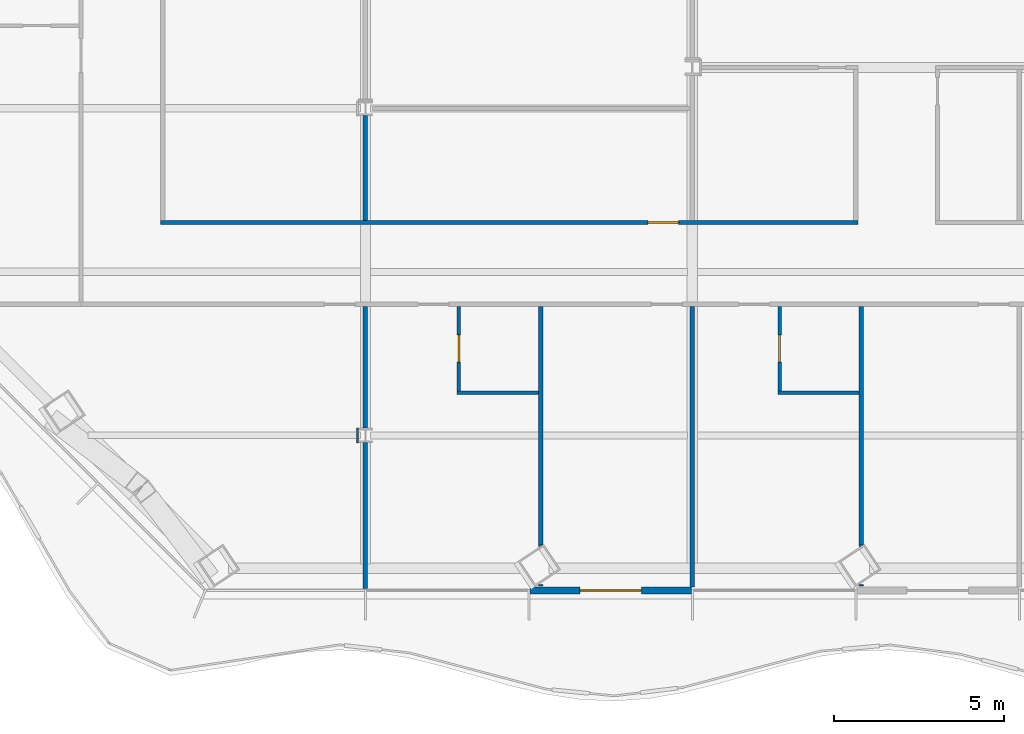
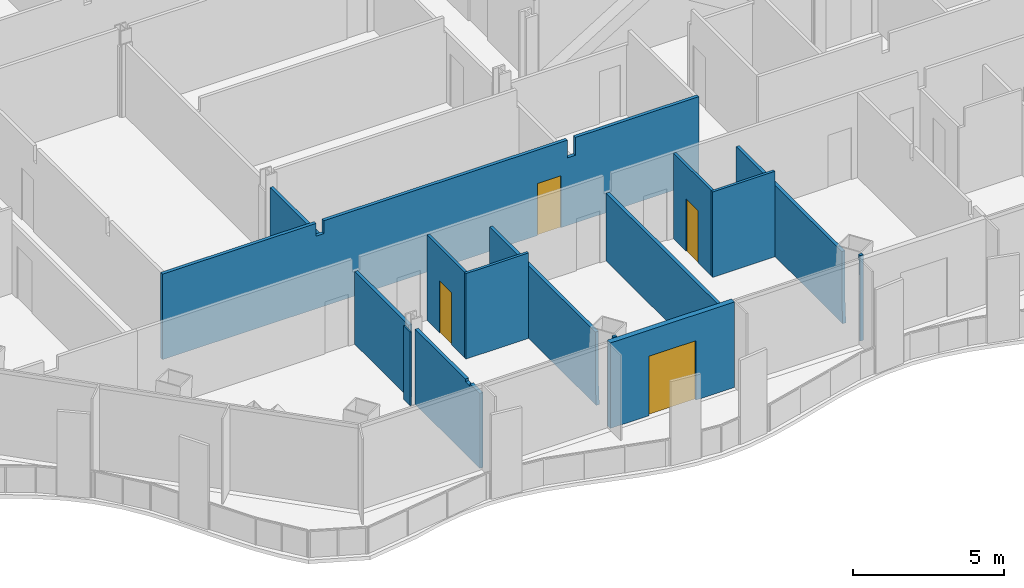
# One storey, part 6 of 20: 15 walls, 4 doors, 4 openings.
"""IFC4 building model written with IfcOpenShell, lengths in metres."""

from ifc_helpers import new_model, si_unit, direction, frame, frame_2d, origin, place, context, subcontext, project, spatial, polyline, rectangle, outline, extrude, material, layer, layer_set, type_object, element, fill, save


model = new_model("IFC4")

# Units and contexts
model_context = context("Model", 3, precision=1e-05, world=origin(), true_north=direction((0.0, 1.0)))
body_context = subcontext(model_context, "Body", "Model", "MODEL_VIEW")
ifc_project = project(units=[si_unit("LENGTHUNIT", "METRE"), si_unit("AREAUNIT", "SQUARE_METRE"), si_unit("VOLUMEUNIT", "CUBIC_METRE"), si_unit("PLANEANGLEUNIT", "RADIAN"), si_unit("MASSUNIT", "GRAM", prefix="KILO")], contexts=[model_context])

# Site, building, storey
site_placement = place(None, origin())
site = spatial("IfcSite", under=ifc_project, at=site_placement, CompositionType="ELEMENT")
building_placement = place(site_placement, origin())
building = spatial("IfcBuilding", under=site, at=building_placement, Name="Cairn Pilgrim Tower", CompositionType="ELEMENT")
storey_placement = place(building_placement, frame((0.0, 0.0, 87.0)))
storey = spatial("IfcBuildingStorey", under=building, at=storey_placement, Name="L20", CompositionType="ELEMENT", Elevation=87.0)

# Wall, opening, door
ifc_material_1 = material(Name="Bronze anodised aluminium insulated sandwich panel with mineral wool fill", Category="aluminium")
ifc_layer_1 = layer(ifc_material_1, 0.199951171875)
ifc_layer_set_1 = layer_set([ifc_layer_1], Name="BRONZE INFILL FRAME WALL 200")
wall_type_1 = type_object("IfcWallType", Name="BRONZE INFILL FRAME WALL 200", PredefinedType="NOTDEFINED", material=ifc_layer_set_1)
wall_1_placement = place(storey_placement, frame((-9.570068359375, -23.75, 0.0), z_axis=(0.0, 0.0, 1.0), x_axis=(1.0, 0.0, 0.0)))
wall_1 = element("IfcWall", 1, at=wall_1_placement, inside=storey, type_object=wall_type_1, Name="Bronze infill frame wall IW-S3", PredefinedType="NOTDEFINED", context=body_context, shape_type="SweptSolid", body=[
    extrude(rectangle(XDim=4.739990234375, YDim=0.199951171875, at=frame_2d((2.3701171875, 0.0))), origin(), (0.0, 0.0, 1.0), 3.449951171875),
])
opening_1_placement = place(wall_1_placement, frame((1.469970703125, 0.0, 0.0)))
opening_1 = element("IfcOpeningElement", 2, at=opening_1_placement, cuts=wall_1, Name="Opening 2003B", PredefinedType="OPENING", context=body_context, shape_type="SweptSolid", body=[
    extrude(rectangle(XDim=1.800048828125, YDim=2.39990234375, at=frame_2d((0.89990234375, 1.199951171875))), frame((0.0, 0.10986328125, 0.0), z_axis=(0.0, -1.0, 0.0), x_axis=(1.0, 0.0, 0.0)), (0.0, 0.0, 1.0), 0.219970703125),
])
ifc_material_2 = material(Name="Bronze anodised aluminium frame with tinted low-E glass", Category="aluminium")
door_type_1 = type_object("IfcDoorType", Name="BALCONY SLIDING DOOR 1800x2400", OperationType="DOUBLE_DOOR_SLIDING", PredefinedType="DOOR", material=ifc_material_2)
door_1_placement = place(opening_1_placement, origin())
door_1 = element("IfcDoor", 3, at=door_1_placement, inside=storey, type_object=door_type_1, Name="Balcony sliding door 2003B", OperationType="SINGLE_SWING_LEFT", OverallHeight=2.39990234375, OverallWidth=1.800048828125, PredefinedType="DOOR", context=body_context, shape_type="SweptSolid", body=[
    extrude(rectangle(XDim=1.800048828125, YDim=2.39990234375, at=frame_2d((0.89990234375, 1.199951171875))), frame((0.0, 0.02490234375, 0.0), z_axis=(0.0, -1.0, 0.0), x_axis=(1.0, 0.0, 0.0)), (0.0, 0.0, 1.0), 0.050048828125),
])
fill(opening_1, door_1)

# Wall
ifc_material_3 = material(Name="Gypsum partition")
ifc_layer_2 = layer(ifc_material_3, 0.10009765625)
ifc_layer_set_2 = layer_set([ifc_layer_2], Name="PARTITION 100 DRYWALL")
wall_type_2 = type_object("IfcWallType", Name="PARTITION 100 DRYWALL", PredefinedType="PARTITIONING", material=ifc_layer_set_2)
wall_2_placement = place(storey_placement, frame((-11.702880859375, -17.949951171875, 0.0), z_axis=(0.0, 0.0, 1.0), x_axis=(1.0, 0.0, 0.0)))
element("IfcWall", 4, at=wall_2_placement, inside=storey, type_object=wall_type_2, Name="PARTITION W014", PredefinedType="PARTITIONING", context=body_context, shape_type="SweptSolid", body=[
    extrude(rectangle(XDim=2.387451171875, YDim=0.10009765625, at=frame_2d((1.19384765625, 0.0))), origin(), (0.0, 0.0, 1.0), 3.449951171875),
])

# Wall, opening, door
wall_3_placement = place(storey_placement, frame((-11.653076171875, -17.89990234375, 0.0), z_axis=(0.0, 0.0, 1.0), x_axis=(0.0, 1.0, 0.0)))
wall_3 = element("IfcWall", 5, at=wall_3_placement, inside=storey, type_object=wall_type_2, Name="PARTITION W015", PredefinedType="PARTITIONING", context=body_context, shape_type="SweptSolid", body=[
    extrude(rectangle(XDim=2.4873046875, YDim=0.10009765625, at=frame_2d((1.24365234375, 0.0))), origin(), (0.0, 0.0, 1.0), 3.449951171875),
])
opening_2_placement = place(wall_3_placement, frame((0.85009765625, 0.0, 0.0)))
opening_2 = element("IfcOpeningElement", 6, at=opening_2_placement, cuts=wall_3, Name="Opening 2002E", PredefinedType="OPENING", context=body_context, shape_type="SweptSolid", body=[
    extrude(rectangle(XDim=0.800048828125, YDim=2.10009765625, at=frame_2d((0.39990234375, 1.050048828125))), frame((0.0, 0.06005859375, 0.0), z_axis=(0.0, -1.0, 0.0), x_axis=(1.0, 0.0, 0.0)), (0.0, 0.0, 1.0), 0.1201171875),
])
ifc_material_4 = material(Name="Timber door leaf", Category="wood")
door_type_2 = type_object("IfcDoorType", Name="DOOR 800x2100", OperationType="NOTDEFINED", PredefinedType="DOOR", material=ifc_material_4)
door_2_placement = place(opening_2_placement, frame((0.800048828125, 0.0, 0.0), z_axis=(0.0, 0.0, 1.0), x_axis=(-1.0, 0.0, 0.0)))
door_2 = element("IfcDoor", 7, at=door_2_placement, inside=storey, type_object=door_type_2, Name="DOOR 2002E", OperationType="SINGLE_SWING_RIGHT", OverallHeight=2.10009765625, OverallWidth=0.800048828125, PredefinedType="DOOR", context=body_context, shape_type="SweptSolid", body=[
    extrude(rectangle(XDim=0.800048828125, YDim=2.10009765625, at=frame_2d((0.39990234375, 1.050048828125))), frame((0.0, 0.02490234375, 0.0), z_axis=(0.0, -1.0, 0.0), x_axis=(1.0, 0.0, 0.0)), (0.0, 0.0, 1.0), 0.050048828125),
])
fill(opening_2, door_2)

# Wall
wall_4_placement = place(storey_placement, frame((-2.2900390625, -17.949951171875, 0.0), z_axis=(0.0, 0.0, 1.0), x_axis=(1.0, 0.0, 0.0)))
element("IfcWall", 8, at=wall_4_placement, inside=storey, type_object=wall_type_2, Name="PARTITION W016", PredefinedType="PARTITIONING", context=body_context, shape_type="SweptSolid", body=[
    extrude(rectangle(XDim=2.387451171875, YDim=0.10009765625, at=frame_2d((1.19384765625, 0.0))), origin(), (0.0, 0.0, 1.0), 3.449951171875),
])

# Wall, opening, door
wall_5_placement = place(storey_placement, frame((-2.239990234375, -17.89990234375, 0.0), z_axis=(0.0, 0.0, 1.0), x_axis=(0.0, 1.0, 0.0)))
wall_5 = element("IfcWall", 9, at=wall_5_placement, inside=storey, type_object=wall_type_2, Name="PARTITION W017", PredefinedType="PARTITIONING", context=body_context, shape_type="SweptSolid", body=[
    extrude(rectangle(XDim=2.4873046875, YDim=0.10009765625, at=frame_2d((1.24365234375, 0.0))), origin(), (0.0, 0.0, 1.0), 3.449951171875),
])
opening_3_placement = place(wall_5_placement, frame((0.85009765625, 0.0, 0.0)))
opening_3 = element("IfcOpeningElement", 10, at=opening_3_placement, cuts=wall_5, Name="Opening 2004E", PredefinedType="OPENING", context=body_context, shape_type="SweptSolid", body=[
    extrude(rectangle(XDim=0.800048828125, YDim=2.10009765625, at=frame_2d((0.39990234375, 1.050048828125))), frame((0.0, 0.06005859375, 0.0), z_axis=(0.0, -1.0, 0.0), x_axis=(1.0, 0.0, 0.0)), (0.0, 0.0, 1.0), 0.1201171875),
])
door_3_placement = place(opening_3_placement, frame((0.800048828125, 0.0, 0.0), z_axis=(0.0, 0.0, 1.0), x_axis=(-1.0, 0.0, 0.0)))
door_3 = element("IfcDoor", 11, at=door_3_placement, inside=storey, type_object=door_type_2, Name="DOOR 2004E", OperationType="SINGLE_SWING_LEFT", OverallHeight=2.10009765625, OverallWidth=0.800048828125, PredefinedType="DOOR", context=body_context, shape_type="SweptSolid", body=[
    extrude(rectangle(XDim=0.800048828125, YDim=2.10009765625, at=frame_2d((0.39990234375, 1.050048828125))), frame((0.0, 0.02490234375, 0.0), z_axis=(0.0, -1.0, 0.0), x_axis=(1.0, 0.0, 0.0)), (0.0, 0.0, 1.0), 0.050048828125),
])
fill(opening_3, door_3)

# Walls
ifc_layer_3 = layer(ifc_material_3, 0.125)
ifc_layer_set_3 = layer_set([ifc_layer_3], Name="PARTITION 125 DRYWALL EI 60")
wall_type_3 = type_object("IfcWallType", Name="PARTITION 125 DRYWALL EI 60", PredefinedType="PARTITIONING", material=ifc_layer_set_3)
wall_6_placement = place(storey_placement, frame((-14.39990234375, -23.68994140625, 0.0), z_axis=(0.0, 0.0, 1.0), x_axis=(0.0, 1.0, 0.0)))
element("IfcWall", 12, at=wall_6_placement, inside=storey, type_object=wall_type_3, Name="PARTITION W001", PredefinedType="PARTITIONING", context=body_context, shape_type="SweptSolid", body=[
    extrude(outline(polyline([(0.0, 0.0), (4.27734375, 0.0), (4.277587890625, 3.030029296875), (0.95361328125, 3.030029296875), (0.95166015625, 2.929931640625), (0.65380859375, 2.929931640625), (0.651611328125, 3.030029296875), (0.0, 3.030029296875), (0.0, 0.0)])), frame((0.0, 0.0625, 0.0), z_axis=(0.0, -1.0, 0.0), x_axis=(1.0, 0.0, 0.0)), (0.0, 0.0, 1.0), 0.125),
])
wall_7_placement = place(storey_placement, frame((-4.800048828125, -23.64990234375, 0.0), z_axis=(0.0, 0.0, 1.0), x_axis=(0.0, 1.0, 0.0)))
element("IfcWall", 13, at=wall_7_placement, inside=storey, type_object=wall_type_3, Name="PARTITION W002", PredefinedType="PARTITIONING", context=body_context, shape_type="SweptSolid", body=[
    extrude(rectangle(XDim=8.2373046875, YDim=0.125, at=frame_2d((4.11865234375, 0.0))), origin(), (0.0, 0.0, 1.0), 2.72998046875),
])
wall_8_placement = place(storey_placement, frame((-9.2529296875, -23.6201171875, 0.0), z_axis=(0.0, 0.0, 1.0), x_axis=(0.0, 1.0, 0.0)))
element("IfcWall", 14, at=wall_8_placement, inside=storey, type_object=wall_type_3, Name="PARTITION W006", PredefinedType="PARTITIONING", context=body_context, shape_type="SweptSolid", body=[
    extrude(outline(polyline([(0.0, 0.0), (0.04443359375, 0.0), (0.04443359375, 0.862548828125), (0.04443359375, 1.72509765625), (0.056884765625, 2.58740234375), (0.108154296875, 3.449951171875), (0.0, 3.449951171875), (0.0, 2.58740234375), (0.0, 1.72509765625), (0.0, 0.862548828125), (0.0, 0.0)])), frame((0.0, 0.0625, 0.0), z_axis=(0.0, -1.0, 0.0), x_axis=(1.0, 0.0, 0.0)), (0.0, 0.0, 1.0), 0.125),
])
wall_9_placement = place(storey_placement, frame((0.159912109375, -23.6201171875, 0.0), z_axis=(0.0, 0.0, 1.0), x_axis=(0.0, 1.0, 0.0)))
element("IfcWall", 15, at=wall_9_placement, inside=storey, type_object=wall_type_3, Name="PARTITION W007", PredefinedType="PARTITIONING", context=body_context, shape_type="SweptSolid", body=[
    extrude(outline(polyline([(0.0, 0.0), (0.044189453125, 0.0), (0.044189453125, 0.862548828125), (0.044189453125, 1.72509765625), (0.056884765625, 2.58740234375), (0.108154296875, 3.449951171875), (0.0, 3.449951171875), (0.0, 2.58740234375), (0.0, 1.72509765625), (0.0, 0.862548828125), (0.0, 0.0)])), frame((0.0, 0.0625, 0.0), z_axis=(0.0, -1.0, 0.0), x_axis=(1.0, 0.0, 0.0)), (0.0, 0.0, 1.0), 0.125),
])
wall_10_placement = place(storey_placement, frame((-9.2529296875, -22.465576171875, 0.0), z_axis=(0.0, 0.0, 1.0), x_axis=(0.0, 1.0, 0.0)))
element("IfcWall", 16, at=wall_10_placement, inside=storey, type_object=wall_type_3, Name="PARTITION W010", PredefinedType="PARTITIONING", context=body_context, shape_type="SweptSolid", body=[
    extrude(outline(polyline([(0.0, 0.0), (7.052978515625, 0.0), (7.052978515625, 0.862548828125), (7.052978515625, 1.72509765625), (7.052978515625, 2.58740234375), (7.052978515625, 2.929931640625), (0.05517578125, 2.929931640625), (0.05517578125, 2.58740234375), (0.05517578125, 1.72509765625), (0.05126953125, 0.862548828125), (0.0, 0.0)])), frame((0.0, 0.0625, 0.0), z_axis=(0.0, -1.0, 0.0), x_axis=(1.0, 0.0, 0.0)), (0.0, 0.0, 1.0), 0.125),
])
wall_11_placement = place(storey_placement, frame((0.159912109375, -22.465576171875, 0.0), z_axis=(0.0, 0.0, 1.0), x_axis=(0.0, 1.0, 0.0)))
element("IfcWall", 17, at=wall_11_placement, inside=storey, type_object=wall_type_3, Name="PARTITION W011", PredefinedType="PARTITIONING", context=body_context, shape_type="SweptSolid", body=[
    extrude(outline(polyline([(0.0, 0.0), (7.052978515625, 0.0), (7.052978515625, 0.862548828125), (7.052978515625, 1.72509765625), (7.052978515625, 2.58740234375), (7.052978515625, 2.8798828125), (0.0546875, 2.8798828125), (0.0546875, 2.58740234375), (0.0546875, 1.72509765625), (0.05126953125, 0.862548828125), (0.0, 0.0)])), frame((0.0, 0.0625, 0.0), z_axis=(0.0, -1.0, 0.0), x_axis=(1.0, 0.0, 0.0)), (0.0, 0.0, 1.0), 0.125),
])
wall_12_placement = place(storey_placement, frame((-14.39990234375, -18.987548828125, 0.0), z_axis=(0.0, 0.0, 1.0), x_axis=(0.0, 1.0, 0.0)))
element("IfcWall", 18, at=wall_12_placement, inside=storey, type_object=wall_type_3, Name="PARTITION W013", PredefinedType="PARTITIONING", context=body_context, shape_type="SweptSolid", body=[
    extrude(rectangle(XDim=3.574951171875, YDim=0.125, at=frame_2d((1.78759765625, 0.0))), origin(), (0.0, 0.0, 1.0), 2.929931640625),
])

# Wall, opening, door
wall_13_placement = place(storey_placement, frame((-20.41259765625, -12.949951171875, 0.0), z_axis=(0.0, 0.0, 1.0), x_axis=(1.0, 0.0, 0.0)))
wall_13 = element("IfcWall", 19, at=wall_13_placement, inside=storey, type_object=wall_type_3, Name="PARTITION W028", PredefinedType="PARTITIONING", context=body_context, shape_type="SweptSolid", body=[
    extrude(outline(polyline([(0.0, 0.0), (20.47509765625, 0.0), (20.47509765625, 3.449951171875), (15.762451171875, 3.449951171875), (15.760498046875, 2.72998046875), (15.46240234375, 2.72998046875), (15.46044921875, 3.449951171875), (6.16259765625, 3.449951171875), (6.160400390625, 2.929931640625), (5.862548828125, 2.929931640625), (5.860595703125, 3.449951171875), (0.0, 3.449951171875), (0.0, 0.0)])), frame((0.0, 0.0625, 0.0), z_axis=(0.0, -1.0, 0.0), x_axis=(1.0, 0.0, 0.0)), (0.0, 0.0, 1.0), 0.125),
])
opening_4_placement = place(wall_13_placement, frame((14.3125, 0.0, 0.0)))
opening_4 = element("IfcOpeningElement", 20, at=opening_4_placement, cuts=wall_13, Name="Opening 2024", PredefinedType="OPENING", context=body_context, shape_type="SweptSolid", body=[
    extrude(rectangle(XDim=0.89990234375, YDim=2.10009765625, at=frame_2d((0.449951171875, 1.050048828125))), frame((0.0, 0.072509765625, 0.0), z_axis=(0.0, -1.0, 0.0), x_axis=(1.0, 0.0, 0.0)), (0.0, 0.0, 1.0), 0.14501953125),
])
ifc_material_5 = material(Name="Steel-faced fire door leaf", Category="steel")
door_type_3 = type_object("IfcDoorType", Name="FIRE DOOR 900x2100 FD30S", OperationType="NOTDEFINED", PredefinedType="DOOR", material=ifc_material_5)
door_4_placement = place(opening_4_placement, origin())
door_4 = element("IfcDoor", 21, at=door_4_placement, inside=storey, type_object=door_type_3, Name="DOOR 2024", OperationType="SINGLE_SWING_LEFT", OverallHeight=2.10009765625, OverallWidth=0.89990234375, PredefinedType="DOOR", context=body_context, shape_type="SweptSolid", body=[
    extrude(rectangle(XDim=0.89990234375, YDim=2.10009765625, at=frame_2d((0.449951171875, 1.050048828125))), frame((0.0, 0.02490234375, 0.0), z_axis=(0.0, -1.0, 0.0), x_axis=(1.0, 0.0, 0.0)), (0.0, 0.0, 1.0), 0.050048828125),
])
fill(opening_4, door_4)

# Walls
wall_14_placement = place(storey_placement, frame((-14.39990234375, -12.887451171875, 0.0), z_axis=(0.0, 0.0, 1.0), x_axis=(0.0, 1.0, 0.0)))
element("IfcWall", 22, at=wall_14_placement, inside=storey, type_object=wall_type_3, Name="PARTITION W031", PredefinedType="PARTITIONING", context=body_context, shape_type="SweptSolid", body=[
    extrude(rectangle(XDim=3.074951171875, YDim=0.125, at=frame_2d((1.53759765625, 0.0))), origin(), (0.0, 0.0, 1.0), 2.929931640625),
])
ifc_layer_4 = layer(ifc_material_3, 0.050048828125)
ifc_layer_set_4 = layer_set([ifc_layer_4], Name="PARTITION 50 DRYWALL EI 60")
wall_type_4 = type_object("IfcWallType", Name="PARTITION 50 DRYWALL EI 60", PredefinedType="PARTITIONING", material=ifc_layer_set_4)
wall_15_placement = place(storey_placement, frame((-14.62939453125, -19.41259765625, 0.0), z_axis=(0.0, 0.0, 1.0), x_axis=(0.0, 1.0, 0.0)))
element("IfcWall", 23, at=wall_15_placement, inside=storey, type_object=wall_type_4, Name="COLUMN CASING WC01", PredefinedType="PARTITIONING", context=body_context, shape_type="SweptSolid", body=[
    extrude(rectangle(XDim=0.425048828125, YDim=0.050048828125, at=frame_2d((0.21240234375, 0.0))), origin(), (0.0, 0.0, 1.0), 2.97998046875),
])

save(model, "model.ifc")
